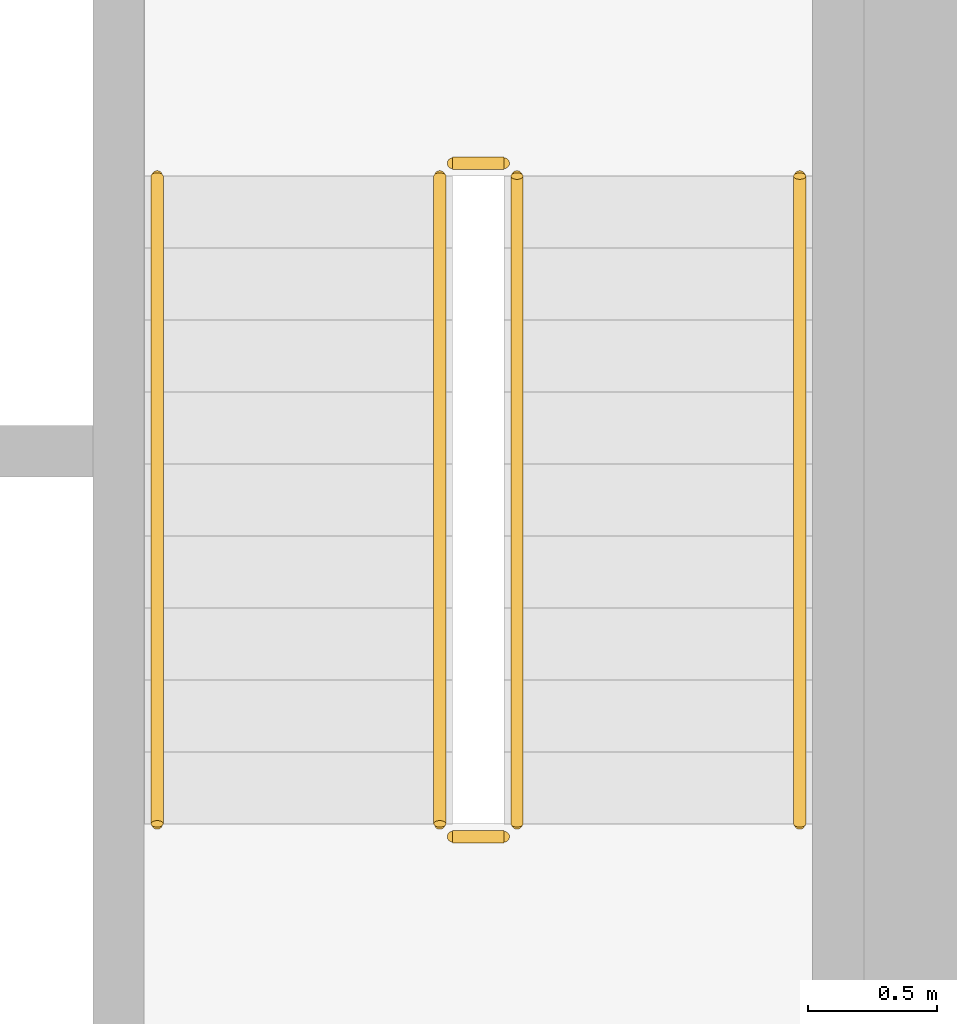
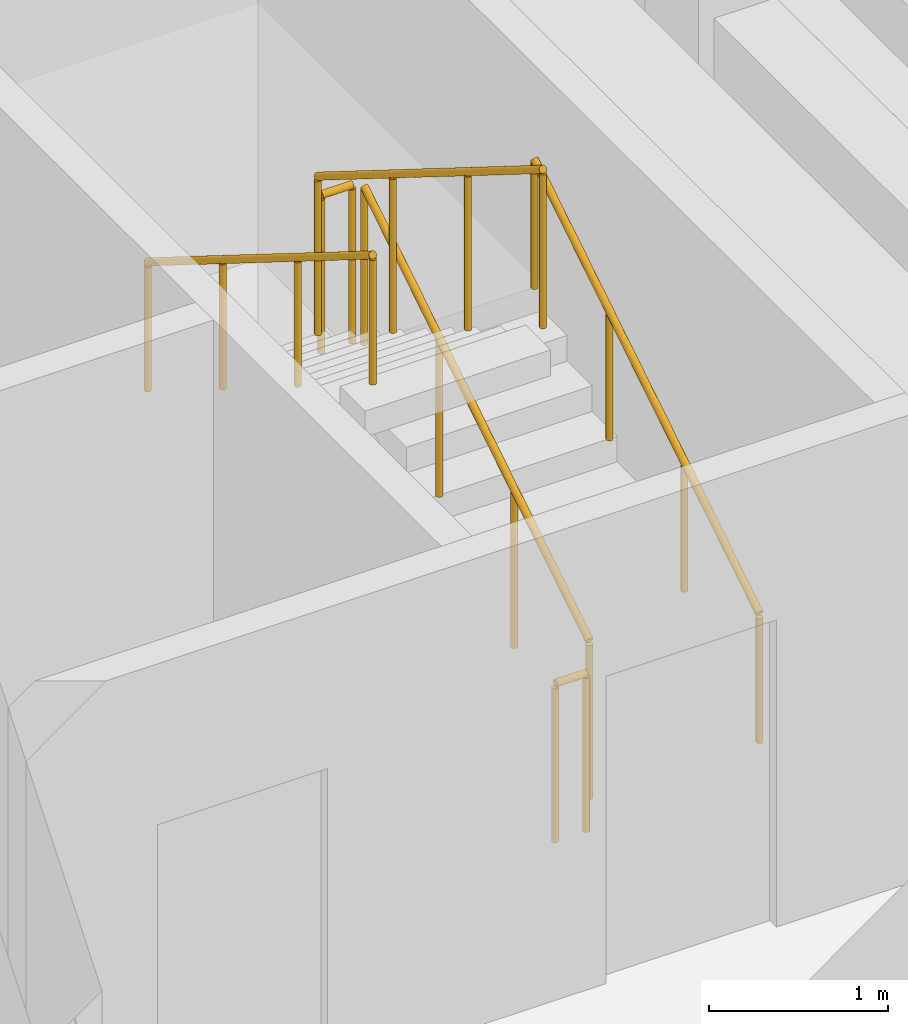
# One storey, part 9 of 14: 6 railings.
"""IFC4 building model written with IfcOpenShell, lengths in metres."""

from ifc_helpers import new_model, si_unit, direction, frame, origin, origin_2d, place, context, subcontext, project, spatial, circle, extrude, material, type_object, element, save


model = new_model("IFC4")

# Units and contexts
model_context = context("Model", 3, precision=1e-05, world=origin(), true_north=direction((0.0, 1.0)))
body_context = subcontext(model_context, "Body", "Model", "MODEL_VIEW")
ifc_project = project(units=[si_unit("LENGTHUNIT", "METRE"), si_unit("AREAUNIT", "SQUARE_METRE"), si_unit("VOLUMEUNIT", "CUBIC_METRE"), si_unit("PLANEANGLEUNIT", "RADIAN"), si_unit("MASSUNIT", "GRAM", prefix="KILO")], contexts=[model_context])

# Site, building, storey
site_placement = place(None, origin())
site = spatial("IfcSite", under=ifc_project, at=site_placement, CompositionType="ELEMENT")
building_placement = place(site_placement, origin())
building = spatial("IfcBuilding", under=site, at=building_placement, Name="Kiln Ring Residences", CompositionType="ELEMENT")
storey_placement = place(building_placement, frame((0.0, 0.0, 299.89990234375)))
storey = spatial("IfcBuildingStorey", under=building, at=storey_placement, Name="L77 Crown", CompositionType="ELEMENT", Elevation=299.89990234375)

# Railings
ifc_material_1 = material(Name="Stainless steel", Category="steel")
railing_type_1 = type_object("IfcRailingType", Name="CORE-STAIR-GUARD", PredefinedType="GUARDRAIL", material=ifc_material_1)
railing_1_placement = place(storey_placement, frame((22.25, -8.39990234375, 0.175048828125)))
element("IfcRailing", 1, at=railing_1_placement, inside=storey, type_object=railing_type_1, Name="L77 Crown E-STS stair guard 1", PredefinedType="GUARDRAIL", context=body_context, shape_type="SweptSolid", body=[
    extrude(circle(Radius=0.02392578125, at=origin_2d()), frame((0.0, 0.0, 1.076171875), z_axis=(0.0, 0.848007534815, 0.529984170421), x_axis=(-1.0, 0.0, 0.0)), (0.0, 0.0, 1.0), 2.9716796875),
    extrude(circle(Radius=0.02099609375, at=origin_2d()), origin(), (0.0, 0.0, 1.0), 1.052001953125),
    extrude(circle(Radius=0.02099609375, at=origin_2d()), frame((0.0, 0.840087890625, 0.52490234375)), (0.0, 0.0, 1.0), 1.052001953125),
    extrude(circle(Radius=0.02099609375, at=origin_2d()), frame((0.0, 1.679931640625, 1.050048828125)), (0.0, 0.0, 1.0), 1.052001953125),
    extrude(circle(Radius=0.02099609375, at=origin_2d()), frame((0.0, 2.52001953125, 1.574951171875)), (0.0, 0.0, 1.0), 1.052001953125),
])
railing_2_placement = place(storey_placement, frame((22.199951171875, -5.830078125, 1.75)))
element("IfcRailing", 2, at=railing_2_placement, inside=storey, type_object=railing_type_1, Name="L77 Crown E-STS stair guard 2", PredefinedType="GUARDRAIL", context=body_context, shape_type="SweptSolid", body=[
    extrude(circle(Radius=0.02392578125, at=origin_2d()), frame((0.0, 0.0, 1.076171875), z_axis=(-1.0, 0.0, 0.0), x_axis=(0.0, -1.0, 0.0)), (0.0, 0.0, 1.0), 0.199951171875),
    extrude(circle(Radius=0.02099609375, at=origin_2d()), origin(), (0.0, 0.0, 1.0), 1.052001953125),
    extrude(circle(Radius=0.02099609375, at=origin_2d()), frame((-0.199951171875, 0.0, 0.0)), (0.0, 0.0, 1.0), 1.052001953125),
])
railing_3_placement = place(storey_placement, frame((21.949951171875, -5.8798828125, 1.925048828125)))
element("IfcRailing", 3, at=railing_3_placement, inside=storey, type_object=railing_type_1, Name="L77 Crown E-STS stair guard 3", PredefinedType="GUARDRAIL", context=body_context, shape_type="SweptSolid", body=[
    extrude(circle(Radius=0.02392578125, at=origin_2d()), frame((0.0, 0.0, 1.076171875), z_axis=(0.0, -0.848007534815, 0.529984170421), x_axis=(1.0, 0.0, 0.0)), (0.0, 0.0, 1.0), 2.9716796875),
    extrude(circle(Radius=0.02099609375, at=origin_2d()), origin(), (0.0, 0.0, 1.0), 1.052001953125),
    extrude(circle(Radius=0.02099609375, at=origin_2d()), frame((0.0, -0.840087890625, 0.52490234375)), (0.0, 0.0, 1.0), 1.052001953125),
    extrude(circle(Radius=0.02099609375, at=origin_2d()), frame((0.0, -1.679931640625, 1.050048828125)), (0.0, 0.0, 1.0), 1.052001953125),
    extrude(circle(Radius=0.02099609375, at=origin_2d()), frame((0.0, -2.52001953125, 1.574951171875)), (0.0, 0.0, 1.0), 1.052001953125),
])
railing_4_placement = place(storey_placement, frame((22.199951171875, -8.449951171875, 0.0)))
element("IfcRailing", 4, at=railing_4_placement, inside=storey, type_object=railing_type_1, Name="L77 Crown E-STS stair guard 4", PredefinedType="GUARDRAIL", context=body_context, shape_type="SweptSolid", body=[
    extrude(circle(Radius=0.02392578125, at=origin_2d()), frame((0.0, 0.0, 1.076171875), z_axis=(-1.0, 0.0, 0.0), x_axis=(0.0, -1.0, 0.0)), (0.0, 0.0, 1.0), 0.199951171875),
    extrude(circle(Radius=0.02099609375, at=origin_2d()), origin(), (0.0, 0.0, 1.0), 1.052001953125),
    extrude(circle(Radius=0.02099609375, at=origin_2d()), frame((-0.199951171875, 0.0, 0.0)), (0.0, 0.0, 1.0), 1.052001953125),
])
ifc_material_2 = material(Name="Stainless steel", Category="steel")
railing_type_2 = type_object("IfcRailingType", Name="CORE-STAIR-HANDRAIL", PredefinedType="HANDRAIL", material=ifc_material_2)
railing_5_placement = place(storey_placement, frame((23.35009765625, -8.39990234375, 0.175048828125)))
element("IfcRailing", 5, at=railing_5_placement, inside=storey, type_object=railing_type_2, Name="L77 Crown E-STS stair handrail 1", PredefinedType="HANDRAIL", context=body_context, shape_type="SweptSolid", body=[
    extrude(circle(Radius=0.02392578125, at=origin_2d()), frame((0.0, 0.0, 0.8759765625), z_axis=(0.0, 0.848007534815, 0.529984170421), x_axis=(-1.0, 0.0, 0.0)), (0.0, 0.0, 1.0), 2.9716796875),
    extrude(circle(Radius=0.02099609375, at=origin_2d()), origin(), (0.0, 0.0, 1.0), 0.851806640625),
    extrude(circle(Radius=0.02099609375, at=origin_2d()), frame((0.0, 0.840087890625, 0.52490234375)), (0.0, 0.0, 1.0), 0.851806640625),
    extrude(circle(Radius=0.02099609375, at=origin_2d()), frame((0.0, 1.679931640625, 1.050048828125)), (0.0, 0.0, 1.0), 0.851806640625),
    extrude(circle(Radius=0.02099609375, at=origin_2d()), frame((0.0, 2.52001953125, 1.574951171875)), (0.0, 0.0, 1.0), 0.851806640625),
])
railing_6_placement = place(storey_placement, frame((20.85009765625, -5.8798828125, 1.925048828125)))
element("IfcRailing", 6, at=railing_6_placement, inside=storey, type_object=railing_type_2, Name="L77 Crown E-STS stair handrail 2", PredefinedType="HANDRAIL", context=body_context, shape_type="SweptSolid", body=[
    extrude(circle(Radius=0.02392578125, at=origin_2d()), frame((0.0, 0.0, 0.8759765625), z_axis=(0.0, -0.848007534815, 0.529984170421), x_axis=(1.0, 0.0, 0.0)), (0.0, 0.0, 1.0), 2.9716796875),
    extrude(circle(Radius=0.02099609375, at=origin_2d()), origin(), (0.0, 0.0, 1.0), 0.851806640625),
    extrude(circle(Radius=0.02099609375, at=origin_2d()), frame((0.0, -0.840087890625, 0.52490234375)), (0.0, 0.0, 1.0), 0.851806640625),
    extrude(circle(Radius=0.02099609375, at=origin_2d()), frame((0.0, -1.679931640625, 1.050048828125)), (0.0, 0.0, 1.0), 0.851806640625),
    extrude(circle(Radius=0.02099609375, at=origin_2d()), frame((0.0, -2.52001953125, 1.574951171875)), (0.0, 0.0, 1.0), 0.851806640625),
])

save(model, "model.ifc")
